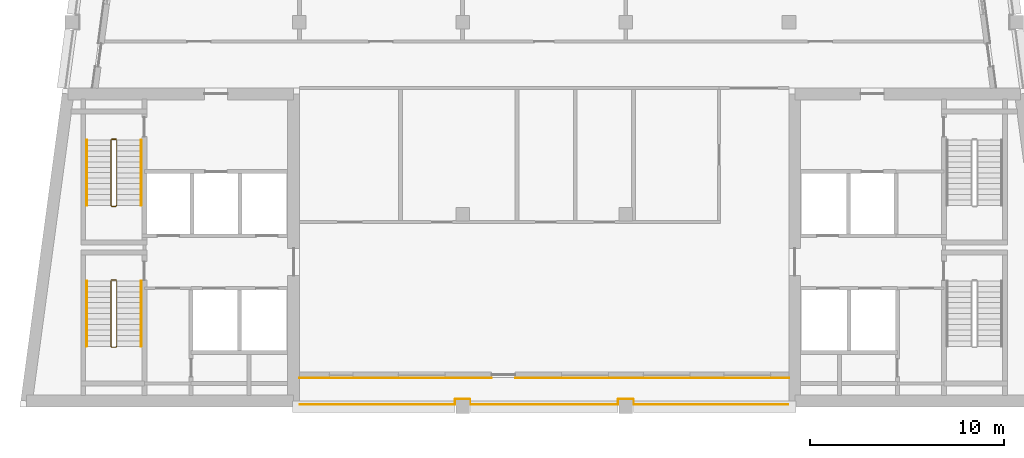
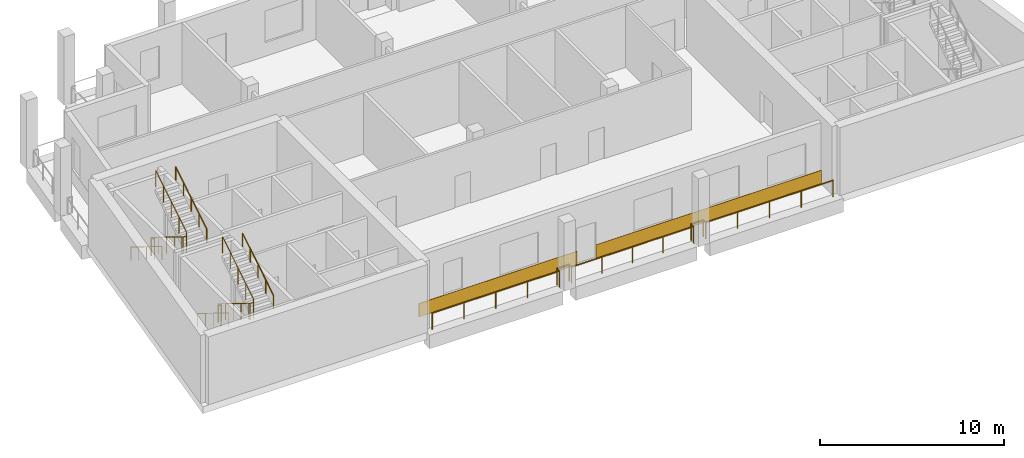
# One storey, part 6 of 9: 9 railings, 2 coverings.
"""IFC4 building model written with IfcOpenShell, lengths in metres."""

from ifc_helpers import new_model, si_unit, direction, frame, origin, origin_2d, place, context, subcontext, project, spatial, rectangle, circle, extrude, material, layer, layer_set, type_object, element, save


model = new_model("IFC4")

# Units and contexts
model_context = context("Model", 3, precision=1e-05, world=origin(), true_north=direction((0.0, 1.0)))
body_context = subcontext(model_context, "Body", "Model", "MODEL_VIEW")
ifc_project = project(units=[si_unit("LENGTHUNIT", "METRE"), si_unit("AREAUNIT", "SQUARE_METRE"), si_unit("VOLUMEUNIT", "CUBIC_METRE"), si_unit("PLANEANGLEUNIT", "RADIAN"), si_unit("MASSUNIT", "GRAM", prefix="KILO")], contexts=[model_context])

# Site, building, storey
site_placement = place(None, origin())
site = spatial("IfcSite", under=ifc_project, at=site_placement, CompositionType="ELEMENT")
building_placement = place(site_placement, origin())
building = spatial("IfcBuilding", under=site, at=building_placement, Name="Candeia Pilgrim Tower and Theatre", CompositionType="ELEMENT")
storey_placement = place(building_placement, frame((0.0, 0.0, 303.39990234375)))
storey = spatial("IfcBuildingStorey", under=building, at=storey_placement, Name="L74", CompositionType="ELEMENT", Elevation=303.39990234375)

# Railing
ifc_material_1 = material(Name="Stainless steel balustrade", Category="steel")
railing_type_1 = type_object("IfcRailingType", Name="G1 loggia guard 1100", PredefinedType="GUARDRAIL", material=ifc_material_1)
railing_1_placement = place(storey_placement, frame((125.949951171875, 116.1201171875, 0.0)))
element("IfcRailing", 1, at=railing_1_placement, inside=storey, type_object=railing_type_1, Name="Guard L74.3", PredefinedType="GUARDRAIL", context=body_context, shape_type="SweptSolid", body=[
    extrude(circle(Radius=0.02392578125, at=origin_2d()), frame((0.0, 0.0, 1.076171875), z_axis=(-1.0, 0.0, 0.0), x_axis=(0.0, -1.0, 0.0)), (0.0, 0.0, 1.0), 7.969970703125),
    extrude(circle(Radius=0.02392578125, at=origin_2d()), frame((-7.969970703125, 0.0, 1.076171875), z_axis=(0.0, 1.0, 0.0), x_axis=(-1.0, 0.0, 0.0)), (0.0, 0.0, 1.0), 0.259765625),
    extrude(circle(Radius=0.02392578125, at=origin_2d()), frame((-7.969970703125, 0.259765625, 1.076171875), z_axis=(-1.0, 0.0, 0.0), x_axis=(0.0, -1.0, 0.0)), (0.0, 0.0, 1.0), 0.760009765625),
    extrude(circle(Radius=0.02392578125, at=origin_2d()), frame((-8.72998046875, 0.259765625, 1.076171875), z_axis=(0.0, -1.0, 0.0), x_axis=(1.0, 0.0, 0.0)), (0.0, 0.0, 1.0), 0.259765625),
    extrude(circle(Radius=0.02392578125, at=origin_2d()), frame((-8.72998046875, 0.0, 1.076171875), z_axis=(-1.0, 0.0, 0.0), x_axis=(0.0, -1.0, 0.0)), (0.0, 0.0, 1.0), 7.639892578125),
    extrude(circle(Radius=0.02392578125, at=origin_2d()), frame((-16.369873046875, 0.0, 1.076171875), z_axis=(0.0, 1.0, 0.0), x_axis=(-1.0, 0.0, 0.0)), (0.0, 0.0, 1.0), 0.259765625),
    extrude(circle(Radius=0.02392578125, at=origin_2d()), frame((-16.369873046875, 0.259765625, 1.076171875), z_axis=(-1.0, 0.0, 0.0), x_axis=(0.0, -1.0, 0.0)), (0.0, 0.0, 1.0), 0.760009765625),
    extrude(circle(Radius=0.02392578125, at=origin_2d()), frame((-17.1298828125, 0.259765625, 1.076171875), z_axis=(0.0, -1.0, 0.0), x_axis=(1.0, 0.0, 0.0)), (0.0, 0.0, 1.0), 0.259765625),
    extrude(circle(Radius=0.02392578125, at=origin_2d()), frame((-17.1298828125, 0.0, 1.076171875), z_axis=(-1.0, 0.0, 0.0), x_axis=(0.0, -1.0, 0.0)), (0.0, 0.0, 1.0), 7.969970703125),
    extrude(circle(Radius=0.02099609375, at=origin_2d()), origin(), (0.0, 0.0, 1.0), 1.052001953125),
    extrude(circle(Radius=0.02099609375, at=origin_2d()), frame((-1.992431640625, 0.0, 0.0)), (0.0, 0.0, 1.0), 1.052001953125),
    extrude(circle(Radius=0.02099609375, at=origin_2d()), frame((-3.98486328125, 0.0, 0.0)), (0.0, 0.0, 1.0), 1.052001953125),
    extrude(circle(Radius=0.02099609375, at=origin_2d()), frame((-5.9775390625, 0.0, 0.0)), (0.0, 0.0, 1.0), 1.052001953125),
    extrude(circle(Radius=0.02099609375, at=origin_2d()), frame((-7.969970703125, 0.0, 0.0)), (0.0, 0.0, 1.0), 1.052001953125),
    extrude(circle(Radius=0.02099609375, at=origin_2d()), frame((-7.969970703125, 0.259765625, 0.0)), (0.0, 0.0, 1.0), 1.052001953125),
    extrude(circle(Radius=0.02099609375, at=origin_2d()), frame((-8.72998046875, 0.259765625, 0.0)), (0.0, 0.0, 1.0), 1.052001953125),
    extrude(circle(Radius=0.02099609375, at=origin_2d()), frame((-8.72998046875, 0.0, 0.0)), (0.0, 0.0, 1.0), 1.052001953125),
    extrude(circle(Radius=0.02099609375, at=origin_2d()), frame((-10.639892578125, 0.0, 0.0)), (0.0, 0.0, 1.0), 1.052001953125),
    extrude(circle(Radius=0.02099609375, at=origin_2d()), frame((-12.5498046875, 0.0, 0.0)), (0.0, 0.0, 1.0), 1.052001953125),
    extrude(circle(Radius=0.02099609375, at=origin_2d()), frame((-14.4599609375, 0.0, 0.0)), (0.0, 0.0, 1.0), 1.052001953125),
    extrude(circle(Radius=0.02099609375, at=origin_2d()), frame((-16.369873046875, 0.0, 0.0)), (0.0, 0.0, 1.0), 1.052001953125),
    extrude(circle(Radius=0.02099609375, at=origin_2d()), frame((-16.369873046875, 0.259765625, 0.0)), (0.0, 0.0, 1.0), 1.052001953125),
    extrude(circle(Radius=0.02099609375, at=origin_2d()), frame((-17.1298828125, 0.259765625, 0.0)), (0.0, 0.0, 1.0), 1.052001953125),
    extrude(circle(Radius=0.02099609375, at=origin_2d()), frame((-17.1298828125, 0.0, 0.0)), (0.0, 0.0, 1.0), 1.052001953125),
    extrude(circle(Radius=0.02099609375, at=origin_2d()), frame((-19.122314453125, 0.0, 0.0)), (0.0, 0.0, 1.0), 1.052001953125),
    extrude(circle(Radius=0.02099609375, at=origin_2d()), frame((-21.11474609375, 0.0, 0.0)), (0.0, 0.0, 1.0), 1.052001953125),
    extrude(circle(Radius=0.02099609375, at=origin_2d()), frame((-23.107421875, 0.0, 0.0)), (0.0, 0.0, 1.0), 1.052001953125),
    extrude(circle(Radius=0.02099609375, at=origin_2d()), frame((-25.099853515625, 0.0, 0.0)), (0.0, 0.0, 1.0), 1.052001953125),
])

# Coverings
ifc_material_2 = material(Name="Glazed ceramic tile bottle green")
ifc_layer = layer(ifc_material_2, 0.02001953125)
ifc_layer_set = layer_set([ifc_layer], Name="Glazed ceramic tile bottle green")
covering_type = type_object("IfcCoveringType", Name="Glazed ceramic tile bottle green", PredefinedType="CLADDING", material=ifc_layer_set)
covering_1_placement = place(storey_placement, frame((105.75, 117.489990234375, 0.000244140625), z_axis=(0.0, 0.0, 1.0), x_axis=(1.0, 0.0, 0.0)))
element("IfcCovering", 2, at=covering_1_placement, inside=storey, type_object=covering_type, Name="Tile cladding bottle green L74", PredefinedType="CLADDING", context=body_context, shape_type="SweptSolid", body=[
    extrude(rectangle(XDim=9.89990234375, YDim=0.02001953125, at=origin_2d()), origin(), (0.0, 0.0, 1.0), 0.89990234375),
])
covering_2_placement = place(storey_placement, frame((118.949951171875, 117.489990234375, 0.000244140625), z_axis=(0.0, 0.0, 1.0), x_axis=(1.0, 0.0, 0.0)))
element("IfcCovering", 3, at=covering_2_placement, inside=storey, type_object=covering_type, Name="Tile cladding bottle green L74", PredefinedType="CLADDING", context=body_context, shape_type="SweptSolid", body=[
    extrude(rectangle(XDim=14.10009765625, YDim=0.02001953125, at=origin_2d()), origin(), (0.0, 0.0, 1.0), 0.89990234375),
])

# Railings
railing_type_2 = type_object("IfcRailingType", Name="RL-GUARD-1100", PredefinedType="GUARDRAIL", material=ifc_material_1)
railing_2_placement = place(storey_placement, frame((91.10205078125, 122.47509765625, 0.173095703125)))
element("IfcRailing", 4, at=railing_2_placement, inside=storey, type_object=railing_type_2, Name="L74 ST1 stair guard 1", PredefinedType="GUARDRAIL", context=body_context, shape_type="SweptSolid", body=[
    extrude(circle(Radius=0.02392578125, at=origin_2d()), frame((0.0, 0.0, 1.076171875), z_axis=(0.0, -0.850623216509, 0.525775754039), x_axis=(1.0, 0.0, 0.0)), (0.0, 0.0, 1.0), 3.9501953125),
    extrude(circle(Radius=0.02392578125, at=origin_2d()), frame((0.0, -3.360107421875, 3.15283203125), z_axis=(0.707106781187, -0.707106781187, 0.0), x_axis=(0.707106781187, 0.707106781187, 0.0)), (0.0, 0.0, 1.0), 0.07080078125),
    extrude(circle(Radius=0.02392578125, at=origin_2d()), frame((0.050048828125, -3.41015625, 3.15283203125), z_axis=(1.0, 0.0, 0.0), x_axis=(0.0, 1.0, 0.0)), (0.0, 0.0, 1.0), 0.199951171875),
    extrude(circle(Radius=0.02392578125, at=origin_2d()), frame((0.25, -3.41015625, 3.15283203125), z_axis=(0.267629722418, 0.267629722418, 0.925607186314), x_axis=(-0.707106781187, 0.707106781187, 0.0)), (0.0, 0.0, 1.0), 0.18701171875),
    extrude(circle(Radius=0.02392578125, at=origin_2d()), frame((0.300048828125, -3.360107421875, 3.326171875), z_axis=(0.0, 0.850623216509, 0.525775754039), x_axis=(-1.0, 0.0, 0.0)), (0.0, 0.0, 1.0), 3.9501953125),
    extrude(circle(Radius=0.02099609375, at=origin_2d()), origin(), (0.0, 0.0, 1.0), 1.052001953125),
    extrude(circle(Radius=0.02099609375, at=origin_2d()), frame((0.0, -0.840087890625, 0.519287109375)), (0.0, 0.0, 1.0), 1.052001953125),
    extrude(circle(Radius=0.02099609375, at=origin_2d()), frame((0.0, -1.68017578125, 1.03857421875)), (0.0, 0.0, 1.0), 1.052001953125),
    extrude(circle(Radius=0.02099609375, at=origin_2d()), frame((0.0, -2.52001953125, 1.5576171875)), (0.0, 0.0, 1.0), 1.052001953125),
    extrude(circle(Radius=0.02099609375, at=origin_2d()), frame((0.0, -3.360107421875, 2.076904296875)), (0.0, 0.0, 1.0), 1.052001953125),
    extrude(circle(Radius=0.02099609375, at=origin_2d()), frame((0.050048828125, -3.41015625, 2.076904296875)), (0.0, 0.0, 1.0), 1.052001953125),
    extrude(circle(Radius=0.02099609375, at=origin_2d()), frame((0.25, -3.41015625, 2.076904296875)), (0.0, 0.0, 1.0), 1.052001953125),
    extrude(circle(Radius=0.02099609375, at=origin_2d()), frame((0.300048828125, -3.360107421875, 2.25)), (0.0, 0.0, 1.0), 1.052001953125),
    extrude(circle(Radius=0.02099609375, at=origin_2d()), frame((0.300048828125, -2.52001953125, 2.769287109375)), (0.0, 0.0, 1.0), 1.052001953125),
    extrude(circle(Radius=0.02099609375, at=origin_2d()), frame((0.300048828125, -1.68017578125, 3.28857421875)), (0.0, 0.0, 1.0), 1.052001953125),
    extrude(circle(Radius=0.02099609375, at=origin_2d()), frame((0.300048828125, -0.840087890625, 3.8076171875)), (0.0, 0.0, 1.0), 1.052001953125),
    extrude(circle(Radius=0.02099609375, at=origin_2d()), frame((0.300048828125, 0.0, 4.326904296875)), (0.0, 0.0, 1.0), 1.052001953125),
])
railing_3_placement = place(storey_placement, frame((91.152099609375, 122.52490234375, 0.0)))
element("IfcRailing", 5, at=railing_3_placement, inside=storey, type_object=railing_type_2, Name="L74 ST1 stair guard 2", PredefinedType="GUARDRAIL", context=body_context, shape_type="SweptSolid", body=[
    extrude(circle(Radius=0.02392578125, at=origin_2d()), frame((0.0, 0.0, 1.076171875), z_axis=(1.0, 0.0, 0.0), x_axis=(0.0, 1.0, 0.0)), (0.0, 0.0, 1.0), 0.199951171875),
    extrude(circle(Radius=0.02099609375, at=origin_2d()), origin(), (0.0, 0.0, 1.0), 1.052001953125),
    extrude(circle(Radius=0.02099609375, at=origin_2d()), frame((0.199951171875, 0.0, 0.0)), (0.0, 0.0, 1.0), 1.052001953125),
])
railing_4_placement = place(storey_placement, frame((91.10205078125, 129.72509765625, 0.173095703125)))
element("IfcRailing", 6, at=railing_4_placement, inside=storey, type_object=railing_type_2, Name="L74 ST2 stair guard 1", PredefinedType="GUARDRAIL", context=body_context, shape_type="SweptSolid", body=[
    extrude(circle(Radius=0.02392578125, at=origin_2d()), frame((0.0, 0.0, 1.076171875), z_axis=(0.0, -0.850623216509, 0.525775754039), x_axis=(1.0, 0.0, 0.0)), (0.0, 0.0, 1.0), 3.9501953125),
    extrude(circle(Radius=0.02392578125, at=origin_2d()), frame((0.0, -3.360107421875, 3.15283203125), z_axis=(0.707106781187, -0.707106781187, 0.0), x_axis=(0.707106781187, 0.707106781187, 0.0)), (0.0, 0.0, 1.0), 0.07080078125),
    extrude(circle(Radius=0.02392578125, at=origin_2d()), frame((0.050048828125, -3.41015625, 3.15283203125), z_axis=(1.0, 0.0, 0.0), x_axis=(0.0, 1.0, 0.0)), (0.0, 0.0, 1.0), 0.199951171875),
    extrude(circle(Radius=0.02392578125, at=origin_2d()), frame((0.25, -3.41015625, 3.15283203125), z_axis=(0.267629722418, 0.267629722418, 0.925607186314), x_axis=(-0.707106781187, 0.707106781187, 0.0)), (0.0, 0.0, 1.0), 0.18701171875),
    extrude(circle(Radius=0.02392578125, at=origin_2d()), frame((0.300048828125, -3.360107421875, 3.326171875), z_axis=(0.0, 0.850623216509, 0.525775754039), x_axis=(-1.0, 0.0, 0.0)), (0.0, 0.0, 1.0), 3.9501953125),
    extrude(circle(Radius=0.02099609375, at=origin_2d()), origin(), (0.0, 0.0, 1.0), 1.052001953125),
    extrude(circle(Radius=0.02099609375, at=origin_2d()), frame((0.0, -0.840087890625, 0.519287109375)), (0.0, 0.0, 1.0), 1.052001953125),
    extrude(circle(Radius=0.02099609375, at=origin_2d()), frame((0.0, -1.68017578125, 1.03857421875)), (0.0, 0.0, 1.0), 1.052001953125),
    extrude(circle(Radius=0.02099609375, at=origin_2d()), frame((0.0, -2.52001953125, 1.5576171875)), (0.0, 0.0, 1.0), 1.052001953125),
    extrude(circle(Radius=0.02099609375, at=origin_2d()), frame((0.0, -3.360107421875, 2.076904296875)), (0.0, 0.0, 1.0), 1.052001953125),
    extrude(circle(Radius=0.02099609375, at=origin_2d()), frame((0.050048828125, -3.41015625, 2.076904296875)), (0.0, 0.0, 1.0), 1.052001953125),
    extrude(circle(Radius=0.02099609375, at=origin_2d()), frame((0.25, -3.41015625, 2.076904296875)), (0.0, 0.0, 1.0), 1.052001953125),
    extrude(circle(Radius=0.02099609375, at=origin_2d()), frame((0.300048828125, -3.360107421875, 2.25)), (0.0, 0.0, 1.0), 1.052001953125),
    extrude(circle(Radius=0.02099609375, at=origin_2d()), frame((0.300048828125, -2.52001953125, 2.769287109375)), (0.0, 0.0, 1.0), 1.052001953125),
    extrude(circle(Radius=0.02099609375, at=origin_2d()), frame((0.300048828125, -1.68017578125, 3.28857421875)), (0.0, 0.0, 1.0), 1.052001953125),
    extrude(circle(Radius=0.02099609375, at=origin_2d()), frame((0.300048828125, -0.840087890625, 3.8076171875)), (0.0, 0.0, 1.0), 1.052001953125),
    extrude(circle(Radius=0.02099609375, at=origin_2d()), frame((0.300048828125, 0.0, 4.326904296875)), (0.0, 0.0, 1.0), 1.052001953125),
])
railing_5_placement = place(storey_placement, frame((91.152099609375, 129.77490234375, 0.0)))
element("IfcRailing", 7, at=railing_5_placement, inside=storey, type_object=railing_type_2, Name="L74 ST2 stair guard 2", PredefinedType="GUARDRAIL", context=body_context, shape_type="SweptSolid", body=[
    extrude(circle(Radius=0.02392578125, at=origin_2d()), frame((0.0, 0.0, 1.076171875), z_axis=(1.0, 0.0, 0.0), x_axis=(0.0, 1.0, 0.0)), (0.0, 0.0, 1.0), 0.199951171875),
    extrude(circle(Radius=0.02099609375, at=origin_2d()), origin(), (0.0, 0.0, 1.0), 1.052001953125),
    extrude(circle(Radius=0.02099609375, at=origin_2d()), frame((0.199951171875, 0.0, 0.0)), (0.0, 0.0, 1.0), 1.052001953125),
])
ifc_material_3 = material(Name="Stainless steel handrail", Category="steel")
railing_type_3 = type_object("IfcRailingType", Name="RL-HANDRAIL-900", PredefinedType="HANDRAIL", material=ifc_material_3)
railing_6_placement = place(storey_placement, frame((89.85205078125, 122.47509765625, 0.173095703125)))
element("IfcRailing", 8, at=railing_6_placement, inside=storey, type_object=railing_type_3, Name="L74 ST1 stair handrail 1", PredefinedType="HANDRAIL", context=body_context, shape_type="SweptSolid", body=[
    extrude(circle(Radius=0.02392578125, at=origin_2d()), frame((0.0, 0.0, 0.8759765625), z_axis=(0.0, -0.850623216509, 0.525775754039), x_axis=(1.0, 0.0, 0.0)), (0.0, 0.0, 1.0), 3.9501953125),
    extrude(circle(Radius=0.02099609375, at=origin_2d()), origin(), (0.0, 0.0, 1.0), 0.851806640625),
    extrude(circle(Radius=0.02099609375, at=origin_2d()), frame((0.0, -0.840087890625, 0.519287109375)), (0.0, 0.0, 1.0), 0.851806640625),
    extrude(circle(Radius=0.02099609375, at=origin_2d()), frame((0.0, -1.68017578125, 1.03857421875)), (0.0, 0.0, 1.0), 0.851806640625),
    extrude(circle(Radius=0.02099609375, at=origin_2d()), frame((0.0, -2.52001953125, 1.5576171875)), (0.0, 0.0, 1.0), 0.851806640625),
    extrude(circle(Radius=0.02099609375, at=origin_2d()), frame((0.0, -3.360107421875, 2.076904296875)), (0.0, 0.0, 1.0), 0.851806640625),
])
railing_7_placement = place(storey_placement, frame((92.652099609375, 119.114990234375, 2.423095703125)))
element("IfcRailing", 9, at=railing_7_placement, inside=storey, type_object=railing_type_3, Name="L74 ST1 stair handrail 2", PredefinedType="HANDRAIL", context=body_context, shape_type="SweptSolid", body=[
    extrude(circle(Radius=0.02392578125, at=origin_2d()), frame((0.0, 0.0, 0.8759765625), z_axis=(0.0, 0.850623216509, 0.525775754039), x_axis=(-1.0, 0.0, 0.0)), (0.0, 0.0, 1.0), 3.9501953125),
    extrude(circle(Radius=0.02099609375, at=origin_2d()), origin(), (0.0, 0.0, 1.0), 0.851806640625),
    extrude(circle(Radius=0.02099609375, at=origin_2d()), frame((0.0, 0.840087890625, 0.519287109375)), (0.0, 0.0, 1.0), 0.851806640625),
    extrude(circle(Radius=0.02099609375, at=origin_2d()), frame((0.0, 1.68017578125, 1.03857421875)), (0.0, 0.0, 1.0), 0.851806640625),
    extrude(circle(Radius=0.02099609375, at=origin_2d()), frame((0.0, 2.52001953125, 1.5576171875)), (0.0, 0.0, 1.0), 0.851806640625),
    extrude(circle(Radius=0.02099609375, at=origin_2d()), frame((0.0, 3.360107421875, 2.076904296875)), (0.0, 0.0, 1.0), 0.851806640625),
])
railing_8_placement = place(storey_placement, frame((89.85205078125, 129.72509765625, 0.173095703125)))
element("IfcRailing", 10, at=railing_8_placement, inside=storey, type_object=railing_type_3, Name="L74 ST2 stair handrail 1", PredefinedType="HANDRAIL", context=body_context, shape_type="SweptSolid", body=[
    extrude(circle(Radius=0.02392578125, at=origin_2d()), frame((0.0, 0.0, 0.8759765625), z_axis=(0.0, -0.850623216509, 0.525775754039), x_axis=(1.0, 0.0, 0.0)), (0.0, 0.0, 1.0), 3.9501953125),
    extrude(circle(Radius=0.02099609375, at=origin_2d()), origin(), (0.0, 0.0, 1.0), 0.851806640625),
    extrude(circle(Radius=0.02099609375, at=origin_2d()), frame((0.0, -0.840087890625, 0.519287109375)), (0.0, 0.0, 1.0), 0.851806640625),
    extrude(circle(Radius=0.02099609375, at=origin_2d()), frame((0.0, -1.68017578125, 1.03857421875)), (0.0, 0.0, 1.0), 0.851806640625),
    extrude(circle(Radius=0.02099609375, at=origin_2d()), frame((0.0, -2.52001953125, 1.5576171875)), (0.0, 0.0, 1.0), 0.851806640625),
    extrude(circle(Radius=0.02099609375, at=origin_2d()), frame((0.0, -3.360107421875, 2.076904296875)), (0.0, 0.0, 1.0), 0.851806640625),
])
railing_9_placement = place(storey_placement, frame((92.652099609375, 126.364990234375, 2.423095703125)))
element("IfcRailing", 11, at=railing_9_placement, inside=storey, type_object=railing_type_3, Name="L74 ST2 stair handrail 2", PredefinedType="HANDRAIL", context=body_context, shape_type="SweptSolid", body=[
    extrude(circle(Radius=0.02392578125, at=origin_2d()), frame((0.0, 0.0, 0.8759765625), z_axis=(0.0, 0.850623216509, 0.525775754039), x_axis=(-1.0, 0.0, 0.0)), (0.0, 0.0, 1.0), 3.9501953125),
    extrude(circle(Radius=0.02099609375, at=origin_2d()), origin(), (0.0, 0.0, 1.0), 0.851806640625),
    extrude(circle(Radius=0.02099609375, at=origin_2d()), frame((0.0, 0.840087890625, 0.519287109375)), (0.0, 0.0, 1.0), 0.851806640625),
    extrude(circle(Radius=0.02099609375, at=origin_2d()), frame((0.0, 1.68017578125, 1.03857421875)), (0.0, 0.0, 1.0), 0.851806640625),
    extrude(circle(Radius=0.02099609375, at=origin_2d()), frame((0.0, 2.52001953125, 1.5576171875)), (0.0, 0.0, 1.0), 0.851806640625),
    extrude(circle(Radius=0.02099609375, at=origin_2d()), frame((0.0, 3.360107421875, 2.076904296875)), (0.0, 0.0, 1.0), 0.851806640625),
])

save(model, "model.ifc")
